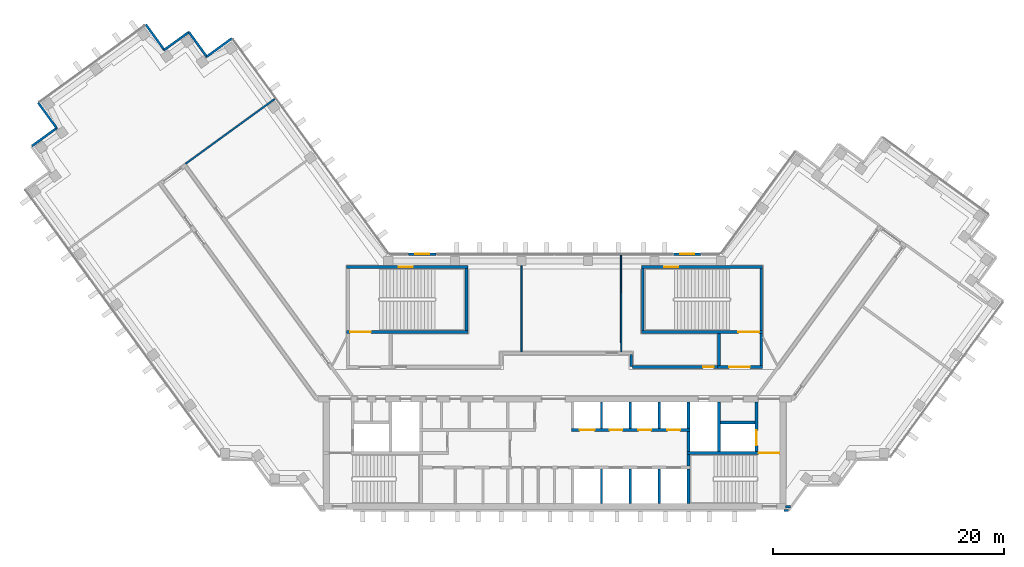
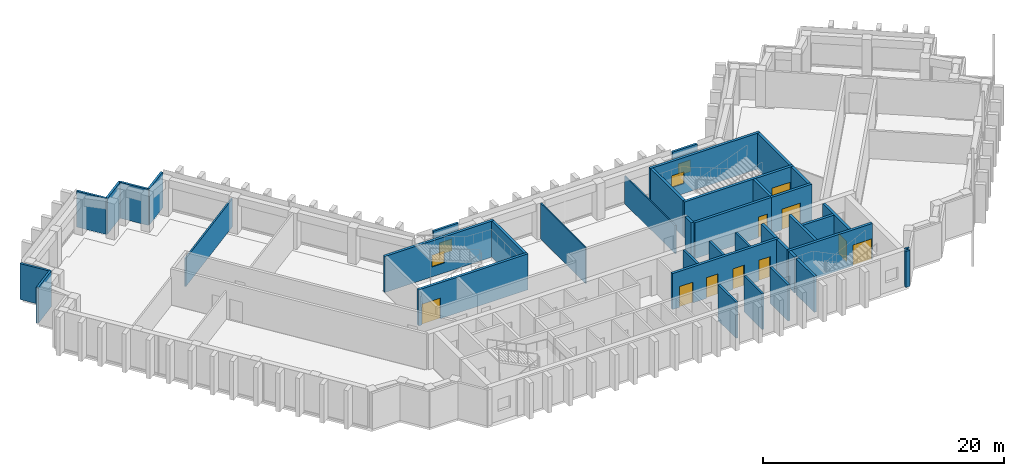
# One storey, part 6 of 9: 40 walls, 10 doors, 4 windows, 14 openings.
"""IFC4 building model written with IfcOpenShell, lengths in metres."""

from ifc_helpers import new_model, si_unit, direction, frame, frame_2d, origin, place, context, subcontext, project, spatial, rectangle, extrude, material, layer, layer_set, type_object, element, fill, save


model = new_model("IFC4")

# Units and contexts
model_context = context("Model", 3, precision=1e-05, world=origin(), true_north=direction((0.0, 1.0)))
body_context = subcontext(model_context, "Body", "Model", "MODEL_VIEW")
ifc_project = project(units=[si_unit("LENGTHUNIT", "METRE"), si_unit("AREAUNIT", "SQUARE_METRE"), si_unit("VOLUMEUNIT", "CUBIC_METRE"), si_unit("PLANEANGLEUNIT", "RADIAN"), si_unit("MASSUNIT", "GRAM", prefix="KILO")], contexts=[model_context])

# Site, building, storey
site_placement = place(None, origin())
site = spatial("IfcSite", under=ifc_project, at=site_placement, CompositionType="ELEMENT")
building_placement = place(site_placement, origin())
building = spatial("IfcBuilding", under=site, at=building_placement, Name="Quipu Civic Tower", CompositionType="ELEMENT")
storey_placement = place(building_placement, frame((0.0, 0.0, 214.0)))
storey = spatial("IfcBuildingStorey", under=building, at=storey_placement, Name="L50", CompositionType="ELEMENT", Elevation=214.0)

# Walls
ifc_material_1 = material(Name="Double gypsum plasterboard with mineral wool")
ifc_layer_1 = layer(ifc_material_1, 0.14990234375)
ifc_layer_set_1 = layer_set([ifc_layer_1], Name="Double gypsum plasterboard with mineral wool")
wall_type_1 = type_object("IfcWallType", Name="Acoustic partition 150 plasterboard", PredefinedType="PARTITIONING", material=ifc_layer_set_1)
wall_1_placement = place(storey_placement, frame((-24.226318359375, 24.531494140625, 0.0), z_axis=(0.0, 0.0, 1.0), x_axis=(-0.80898585166, -0.587828114175, 0.0)))
element("IfcWall", 1, at=wall_1_placement, inside=storey, type_object=wall_type_1, Name="Partition P04", PredefinedType="PARTITIONING", context=body_context, shape_type="SweptSolid", body=[
    extrude(rectangle(XDim=9.550048828125, YDim=0.14990234375, at=frame_2d((4.77490234375, 0.0))), origin(), (0.0, 0.0, 1.0), 2.85009765625),
])
ifc_material_2 = material(Name="Concrete C70/85", Category="concrete")
ifc_layer_2 = layer(ifc_material_2, 0.25)
ifc_layer_set_2 = layer_set([ifc_layer_2], Name="Concrete C70/85")
wall_type_2 = type_object("IfcWallType", Name="Core wall 250", PredefinedType="SHEAR", material=ifc_layer_set_2)
wall_2_placement = place(storey_placement, frame((11.574951171875, -10.5, 0.0), z_axis=(0.0, 0.0, 1.0), x_axis=(0.0, 1.0, 0.0)))
element("IfcWall", 2, at=wall_2_placement, inside=storey, type_object=wall_type_2, Name="Core wall", PredefinedType="SHEAR", context=body_context, shape_type="SweptSolid", body=[
    extrude(rectangle(XDim=3.0, YDim=0.25, at=frame_2d((1.5, 0.0))), origin(), (0.0, 0.0, 1.0), 3.64990234375),
])
wall_3_placement = place(storey_placement, frame((11.574951171875, -7.25, 0.0), z_axis=(0.0, 0.0, 1.0), x_axis=(0.0, 1.0, 0.0)))
element("IfcWall", 3, at=wall_3_placement, inside=storey, type_object=wall_type_2, Name="Core wall", PredefinedType="SHEAR", context=body_context, shape_type="SweptSolid", body=[
    extrude(rectangle(XDim=1.0, YDim=0.25, at=frame_2d((0.5, 0.0))), origin(), (0.0, 0.0, 1.0), 3.64990234375),
])

# Wall, opening, door
wall_4_placement = place(storey_placement, frame((19.5, -6.125, 0.0), z_axis=(0.0, 0.0, 1.0), x_axis=(-1.0, 0.0, 0.0)))
wall_4 = element("IfcWall", 4, at=wall_4_placement, inside=storey, type_object=wall_type_2, Name="Core wall", PredefinedType="SHEAR", context=body_context, shape_type="SweptSolid", body=[
    extrude(rectangle(XDim=8.050048828125, YDim=0.25, at=frame_2d((4.02490234375, 0.0))), origin(), (0.0, 0.0, 1.0), 3.64990234375),
])
opening_1_placement = place(wall_4_placement, frame((0.050048828125, 0.0, 0.0)))
opening_1 = element("IfcOpeningElement", 5, at=opening_1_placement, cuts=wall_4, Name="Opening CD-09", PredefinedType="OPENING", context=body_context, shape_type="SweptSolid", body=[
    extrude(rectangle(XDim=1.800048828125, YDim=2.10009765625, at=frame_2d((0.89990234375, 1.050048828125))), frame((0.0, 0.135009765625, 0.0), z_axis=(0.0, -1.0, 0.0), x_axis=(1.0, 0.0, 0.0)), (0.0, 0.0, 1.0), 0.27001953125),
])
ifc_material_3 = material(Name="Fire rated steel door", Category="steel")
door_type_1 = type_object("IfcDoorType", Name="Fire door FD90 double 1800 x 2100", OperationType="NOTDEFINED", PredefinedType="DOOR", material=ifc_material_3)
door_1_placement = place(opening_1_placement, origin())
door_1 = element("IfcDoor", 6, at=door_1_placement, inside=storey, type_object=door_type_1, Name="Door", OperationType="DOUBLE_DOOR_SINGLE_SWING", OverallHeight=2.10009765625, OverallWidth=1.800048828125, PredefinedType="DOOR", context=body_context, shape_type="SweptSolid", body=[
    extrude(rectangle(XDim=1.800048828125, YDim=2.10009765625, at=frame_2d((0.89990234375, 1.050048828125))), frame((0.0, 0.02490234375, 0.0), z_axis=(0.0, -1.0, 0.0), x_axis=(1.0, 0.0, 0.0)), (0.0, 0.0, 1.0), 0.050048828125),
])
fill(opening_1, door_1)

# Walls
wall_5_placement = place(storey_placement, frame((11.574951171875, -6.0, 0.0), z_axis=(0.0, 0.0, 1.0), x_axis=(0.0, 1.0, 0.0)))
element("IfcWall", 7, at=wall_5_placement, inside=storey, type_object=wall_type_2, Name="Core wall", PredefinedType="SHEAR", context=body_context, shape_type="SweptSolid", body=[
    extrude(rectangle(XDim=1.75, YDim=0.25, at=frame_2d((0.875, 0.0))), origin(), (0.0, 0.0, 1.0), 3.64990234375),
])
wall_6_placement = place(storey_placement, frame((14.22509765625, -6.0, 0.0), z_axis=(0.0, 0.0, 1.0), x_axis=(0.0, 1.0, 0.0)))
element("IfcWall", 8, at=wall_6_placement, inside=storey, type_object=wall_type_2, Name="Core wall", PredefinedType="SHEAR", context=body_context, shape_type="SweptSolid", body=[
    extrude(rectangle(XDim=4.300048828125, YDim=0.25, at=frame_2d((2.14990234375, 0.0))), origin(), (0.0, 0.0, 1.0), 3.64990234375),
])

# Wall, opening, door
wall_7_placement = place(storey_placement, frame((17.47509765625, -6.0, 0.0), z_axis=(0.0, 0.0, 1.0), x_axis=(0.0, 1.0, 0.0)))
wall_7 = element("IfcWall", 9, at=wall_7_placement, inside=storey, type_object=wall_type_2, Name="Core wall", PredefinedType="SHEAR", context=body_context, shape_type="SweptSolid", body=[
    extrude(rectangle(XDim=4.300048828125, YDim=0.25, at=frame_2d((2.14990234375, 0.0))), origin(), (0.0, 0.0, 1.0), 3.64990234375),
])
opening_2_placement = place(wall_7_placement, frame((0.550048828125, 0.0, 0.0)))
opening_2 = element("IfcOpeningElement", 10, at=opening_2_placement, cuts=wall_7, Name="Opening LD-FF2", PredefinedType="OPENING", context=body_context, shape_type="SweptSolid", body=[
    extrude(rectangle(XDim=1.300048828125, YDim=2.10009765625, at=frame_2d((0.64990234375, 1.050048828125))), frame((0.0, 0.135009765625, 0.0), z_axis=(0.0, -1.0, 0.0), x_axis=(1.0, 0.0, 0.0)), (0.0, 0.0, 1.0), 0.27001953125),
])
ifc_material_4 = material(Name="Stainless steel", Category="steel")
door_type_2 = type_object("IfcDoorType", Name="Lift landing door 1300 x 2100", OperationType="DOUBLE_DOOR_SLIDING", PredefinedType="DOOR", material=ifc_material_4)
door_2_placement = place(opening_2_placement, origin())
door_2 = element("IfcDoor", 11, at=door_2_placement, inside=storey, type_object=door_type_2, Name="Landing door FF2", OperationType="DOUBLE_DOOR_SLIDING", OverallHeight=2.10009765625, OverallWidth=1.300048828125, PredefinedType="DOOR", context=body_context, shape_type="SweptSolid", body=[
    extrude(rectangle(XDim=1.300048828125, YDim=2.10009765625, at=frame_2d((0.64990234375, 1.050048828125))), frame((0.0, 0.02490234375, 0.0), z_axis=(0.0, -1.0, 0.0), x_axis=(1.0, 0.0, 0.0)), (0.0, 0.0, 1.0), 0.050048828125),
])
fill(opening_2, door_2)

# Wall, openings, doors
wall_8_placement = place(storey_placement, frame((1.449951171875, -4.125, 0.0), z_axis=(0.0, 0.0, 1.0), x_axis=(1.0, 0.0, 0.0)))
wall_8 = element("IfcWall", 12, at=wall_8_placement, inside=storey, type_object=wall_type_2, Name="Core wall", PredefinedType="SHEAR", context=body_context, shape_type="SweptSolid", body=[
    extrude(rectangle(XDim=10.25, YDim=0.25, at=frame_2d((5.125, 0.0))), origin(), (0.0, 0.0, 1.0), 3.64990234375),
])
opening_3_placement = place(wall_8_placement, frame((0.699951171875, 0.0, 0.0)))
opening_3 = element("IfcOpeningElement", 13, at=opening_3_placement, cuts=wall_8, Name="Opening LD-FF3", PredefinedType="OPENING", context=body_context, shape_type="SweptSolid", body=[
    extrude(rectangle(XDim=1.300048828125, YDim=2.10009765625, at=frame_2d((0.64990234375, 1.050048828125))), frame((0.0, 0.135009765625, 0.0), z_axis=(0.0, -1.0, 0.0), x_axis=(1.0, 0.0, 0.0)), (0.0, 0.0, 1.0), 0.27001953125),
])
opening_4_placement = place(wall_8_placement, frame((3.300048828125, 0.0, 0.0)))
opening_4 = element("IfcOpeningElement", 14, at=opening_4_placement, cuts=wall_8, Name="Opening LD-ML5", PredefinedType="OPENING", context=body_context, shape_type="SweptSolid", body=[
    extrude(rectangle(XDim=1.10009765625, YDim=2.10009765625, at=frame_2d((0.550048828125, 1.050048828125))), frame((0.0, 0.135009765625, 0.0), z_axis=(0.0, -1.0, 0.0), x_axis=(1.0, 0.0, 0.0)), (0.0, 0.0, 1.0), 0.27001953125),
])
opening_5_placement = place(wall_8_placement, frame((5.800048828125, 0.0, 0.0)))
opening_5 = element("IfcOpeningElement", 15, at=opening_5_placement, cuts=wall_8, Name="Opening LD-ML6", PredefinedType="OPENING", context=body_context, shape_type="SweptSolid", body=[
    extrude(rectangle(XDim=1.10009765625, YDim=2.10009765625, at=frame_2d((0.550048828125, 1.050048828125))), frame((0.0, 0.135009765625, 0.0), z_axis=(0.0, -1.0, 0.0), x_axis=(1.0, 0.0, 0.0)), (0.0, 0.0, 1.0), 0.27001953125),
])
opening_6_placement = place(wall_8_placement, frame((8.300048828125, 0.0, 0.0)))
opening_6 = element("IfcOpeningElement", 16, at=opening_6_placement, cuts=wall_8, Name="Opening LD-ML7", PredefinedType="OPENING", context=body_context, shape_type="SweptSolid", body=[
    extrude(rectangle(XDim=1.10009765625, YDim=2.10009765625, at=frame_2d((0.550048828125, 1.050048828125))), frame((0.0, 0.135009765625, 0.0), z_axis=(0.0, -1.0, 0.0), x_axis=(1.0, 0.0, 0.0)), (0.0, 0.0, 1.0), 0.27001953125),
])
ifc_material_5 = material(Name="Stainless steel", Category="steel")
door_type_3 = type_object("IfcDoorType", Name="Lift landing door 1100 x 2100", OperationType="DOUBLE_DOOR_SLIDING", PredefinedType="DOOR", material=ifc_material_5)
door_3_placement = place(opening_4_placement, origin())
door_3 = element("IfcDoor", 17, at=door_3_placement, inside=storey, type_object=door_type_3, Name="Landing door ML5", OperationType="DOUBLE_DOOR_SLIDING", OverallHeight=2.10009765625, OverallWidth=1.10009765625, PredefinedType="DOOR", context=body_context, shape_type="SweptSolid", body=[
    extrude(rectangle(XDim=1.10009765625, YDim=2.10009765625, at=frame_2d((0.550048828125, 1.050048828125))), frame((0.0, 0.02490234375, 0.0), z_axis=(0.0, -1.0, 0.0), x_axis=(1.0, 0.0, 0.0)), (0.0, 0.0, 1.0), 0.050048828125),
])
fill(opening_4, door_3)
door_4_placement = place(opening_5_placement, origin())
door_4 = element("IfcDoor", 18, at=door_4_placement, inside=storey, type_object=door_type_3, Name="Landing door ML6", OperationType="DOUBLE_DOOR_SLIDING", OverallHeight=2.10009765625, OverallWidth=1.10009765625, PredefinedType="DOOR", context=body_context, shape_type="SweptSolid", body=[
    extrude(rectangle(XDim=1.10009765625, YDim=2.10009765625, at=frame_2d((0.550048828125, 1.050048828125))), frame((0.0, 0.02490234375, 0.0), z_axis=(0.0, -1.0, 0.0), x_axis=(1.0, 0.0, 0.0)), (0.0, 0.0, 1.0), 0.050048828125),
])
fill(opening_5, door_4)
door_5_placement = place(opening_6_placement, origin())
door_5 = element("IfcDoor", 19, at=door_5_placement, inside=storey, type_object=door_type_3, Name="Landing door ML7", OperationType="DOUBLE_DOOR_SLIDING", OverallHeight=2.10009765625, OverallWidth=1.10009765625, PredefinedType="DOOR", context=body_context, shape_type="SweptSolid", body=[
    extrude(rectangle(XDim=1.10009765625, YDim=2.10009765625, at=frame_2d((0.550048828125, 1.050048828125))), frame((0.0, 0.02490234375, 0.0), z_axis=(0.0, -1.0, 0.0), x_axis=(1.0, 0.0, 0.0)), (0.0, 0.0, 1.0), 0.050048828125),
])
fill(opening_6, door_5)
door_6_placement = place(opening_3_placement, origin())
door_6 = element("IfcDoor", 20, at=door_6_placement, inside=storey, type_object=door_type_2, Name="Landing door FF3", OperationType="DOUBLE_DOOR_SLIDING", OverallHeight=2.10009765625, OverallWidth=1.300048828125, PredefinedType="DOOR", context=body_context, shape_type="SweptSolid", body=[
    extrude(rectangle(XDim=1.300048828125, YDim=2.10009765625, at=frame_2d((0.64990234375, 1.050048828125))), frame((0.0, 0.02490234375, 0.0), z_axis=(0.0, -1.0, 0.0), x_axis=(1.0, 0.0, 0.0)), (0.0, 0.0, 1.0), 0.050048828125),
])
fill(opening_3, door_6)

# Walls
wall_9_placement = place(storey_placement, frame((11.574951171875, -4.0, 0.0), z_axis=(0.0, 0.0, 1.0), x_axis=(0.0, 1.0, 0.0)))
element("IfcWall", 21, at=wall_9_placement, inside=storey, type_object=wall_type_2, Name="Core wall", PredefinedType="SHEAR", context=body_context, shape_type="SweptSolid", body=[
    extrude(rectangle(XDim=2.300048828125, YDim=0.25, at=frame_2d((1.14990234375, 0.0))), origin(), (0.0, 0.0, 1.0), 3.64990234375),
])
wall_10_placement = place(storey_placement, frame((14.35009765625, -3.47509765625, 0.0), z_axis=(0.0, 0.0, 1.0), x_axis=(1.0, 0.0, 0.0)))
element("IfcWall", 22, at=wall_10_placement, inside=storey, type_object=wall_type_2, Name="Core wall", PredefinedType="SHEAR", context=body_context, shape_type="SweptSolid", body=[
    extrude(rectangle(XDim=3.0, YDim=0.25, at=frame_2d((1.5, 0.0))), origin(), (0.0, 0.0, 1.0), 3.64990234375),
])

# Wall, opening, door
wall_11_placement = place(storey_placement, frame((-18.0, 4.375, 0.0), z_axis=(0.0, 0.0, 1.0), x_axis=(1.0, 0.0, 0.0)))
wall_11 = element("IfcWall", 23, at=wall_11_placement, inside=storey, type_object=wall_type_2, Name="Core wall", PredefinedType="SHEAR", context=body_context, shape_type="SweptSolid", body=[
    extrude(rectangle(XDim=10.5, YDim=0.25, at=frame_2d((5.25, 0.0))), origin(), (0.0, 0.0, 1.0), 3.64990234375),
])
opening_7_placement = place(wall_11_placement, frame((0.300048828125, 0.0, 0.0)))
opening_7 = element("IfcOpeningElement", 24, at=opening_7_placement, cuts=wall_11, Name="Opening CD-25", PredefinedType="OPENING", context=body_context, shape_type="SweptSolid", body=[
    extrude(rectangle(XDim=1.800048828125, YDim=2.10009765625, at=frame_2d((0.89990234375, 1.050048828125))), frame((0.0, 0.135009765625, 0.0), z_axis=(0.0, -1.0, 0.0), x_axis=(1.0, 0.0, 0.0)), (0.0, 0.0, 1.0), 0.27001953125),
])
door_7_placement = place(opening_7_placement, origin())
door_7 = element("IfcDoor", 25, at=door_7_placement, inside=storey, type_object=door_type_1, Name="Door", OperationType="DOUBLE_DOOR_SINGLE_SWING", OverallHeight=2.10009765625, OverallWidth=1.800048828125, PredefinedType="DOOR", context=body_context, shape_type="SweptSolid", body=[
    extrude(rectangle(XDim=1.800048828125, YDim=2.10009765625, at=frame_2d((0.89990234375, 1.050048828125))), frame((0.0, 0.02490234375, 0.0), z_axis=(0.0, -1.0, 0.0), x_axis=(1.0, 0.0, 0.0)), (0.0, 0.0, 1.0), 0.050048828125),
])
fill(opening_7, door_7)

# Wall
wall_12_placement = place(storey_placement, frame((-7.625, 4.5, 0.0), z_axis=(0.0, 0.0, 1.0), x_axis=(0.0, 1.0, 0.0)))
element("IfcWall", 26, at=wall_12_placement, inside=storey, type_object=wall_type_2, Name="Core wall", PredefinedType="SHEAR", context=body_context, shape_type="SweptSolid", body=[
    extrude(rectangle(XDim=5.35009765625, YDim=0.25, at=frame_2d((2.675048828125, 0.0))), origin(), (0.0, 0.0, 1.0), 3.64990234375),
])

# Wall, opening, window
wall_13_placement = place(storey_placement, frame((-18.0, 9.97509765625, 0.0), z_axis=(0.0, 0.0, 1.0), x_axis=(1.0, 0.0, 0.0)))
wall_13 = element("IfcWall", 27, at=wall_13_placement, inside=storey, type_object=wall_type_2, Name="Core wall", PredefinedType="SHEAR", context=body_context, shape_type="SweptSolid", body=[
    extrude(rectangle(XDim=10.5, YDim=0.25, at=frame_2d((5.25, 0.0))), origin(), (0.0, 0.0, 1.0), 3.64990234375),
])
opening_8_placement = place(wall_13_placement, frame((4.5, 0.0, 1.0)))
opening_8 = element("IfcOpeningElement", 28, at=opening_8_placement, cuts=wall_13, Name="Opening SV-3", PredefinedType="OPENING", context=body_context, shape_type="SweptSolid", body=[
    extrude(rectangle(XDim=1.199951171875, YDim=1.199951171875, at=frame_2d((0.60009765625, 0.60009765625))), frame((0.0, 0.135009765625, 0.0), z_axis=(0.0, -1.0, 0.0), x_axis=(1.0, 0.0, 0.0)), (0.0, 0.0, 1.0), 0.27001953125),
])
ifc_material_6 = material(Name="Aluminium louvre", Category="aluminium")
window_type_1 = type_object("IfcWindowType", Name="Stair ventilation louvre 1200 x 1200", PartitioningType="SINGLE_PANEL", PredefinedType="WINDOW", material=ifc_material_6)
window_1_placement = place(opening_8_placement, origin())
window_1 = element("IfcWindow", 29, at=window_1_placement, inside=storey, type_object=window_type_1, Name="Stair ventilation opening", OverallHeight=1.199951171875, OverallWidth=1.199951171875, PartitioningType="SINGLE_PANEL", PredefinedType="WINDOW", context=body_context, shape_type="SweptSolid", body=[
    extrude(rectangle(XDim=1.199951171875, YDim=1.199951171875, at=frame_2d((0.60009765625, 0.60009765625))), frame((0.0, 0.030029296875, 0.0), z_axis=(0.0, -1.0, 0.0), x_axis=(1.0, 0.0, 0.0)), (0.0, 0.0, 1.0), 0.06005859375),
])
fill(opening_8, window_1)

# Wall, opening, door
wall_14_placement = place(storey_placement, frame((14.10009765625, 1.324951171875, 0.0), z_axis=(0.0, 0.0, 1.0), x_axis=(1.0, 0.0, 0.0)))
wall_14 = element("IfcWall", 30, at=wall_14_placement, inside=storey, type_object=wall_type_2, Name="Core wall", PredefinedType="SHEAR", context=body_context, shape_type="SweptSolid", body=[
    extrude(rectangle(XDim=3.89990234375, YDim=0.25, at=frame_2d((1.949951171875, 0.0))), origin(), (0.0, 0.0, 1.0), 3.64990234375),
])
opening_9_placement = place(wall_14_placement, frame((1.0, 0.0, 0.0)))
opening_9 = element("IfcOpeningElement", 31, at=opening_9_placement, cuts=wall_14, Name="Opening CD-26", PredefinedType="OPENING", context=body_context, shape_type="SweptSolid", body=[
    extrude(rectangle(XDim=1.800048828125, YDim=2.10009765625, at=frame_2d((0.89990234375, 1.050048828125))), frame((0.0, 0.135009765625, 0.0), z_axis=(0.0, -1.0, 0.0), x_axis=(1.0, 0.0, 0.0)), (0.0, 0.0, 1.0), 0.27001953125),
])
door_8_placement = place(opening_9_placement, origin())
door_8 = element("IfcDoor", 32, at=door_8_placement, inside=storey, type_object=door_type_1, Name="Lobby door", OperationType="DOUBLE_DOOR_SINGLE_SWING", OverallHeight=2.10009765625, OverallWidth=1.800048828125, PredefinedType="DOOR", context=body_context, shape_type="SweptSolid", body=[
    extrude(rectangle(XDim=1.800048828125, YDim=2.10009765625, at=frame_2d((0.89990234375, 1.050048828125))), frame((0.0, 0.02490234375, 0.0), z_axis=(0.0, -1.0, 0.0), x_axis=(1.0, 0.0, 0.0)), (0.0, 0.0, 1.0), 0.050048828125),
])
fill(opening_9, door_8)

# Walls
for number, where, z_axis, x_axis, name in (
    (33, (14.22509765625, 1.449951171875, 0.0), (0.0, 0.0, 1.0), (0.0, 1.0, 0.0), "Core wall"),
    (34, (17.875, 1.449951171875, 0.0), (0.0, 0.0, 1.0), (0.0, 1.0, 0.0), "Core wall"),
):
    element("IfcWall", number, at=place(storey_placement, frame(where, z_axis=z_axis, x_axis=x_axis)), inside=storey, type_object=wall_type_2, Name=name, PredefinedType="SHEAR", context=body_context, shape_type="SweptSolid", body=[
        extrude(rectangle(XDim=2.800048828125, YDim=0.25, at=frame_2d((1.39990234375, 0.0))), origin(), (0.0, 0.0, 1.0), 3.64990234375),
    ])

# Wall, opening, door
wall_15_placement = place(storey_placement, frame((7.5, 4.375, 0.0), z_axis=(0.0, 0.0, 1.0), x_axis=(1.0, 0.0, 0.0)))
wall_15 = element("IfcWall", 35, at=wall_15_placement, inside=storey, type_object=wall_type_2, Name="Core wall", PredefinedType="SHEAR", context=body_context, shape_type="SweptSolid", body=[
    extrude(rectangle(XDim=10.5, YDim=0.25, at=frame_2d((5.25, 0.0))), origin(), (0.0, 0.0, 1.0), 3.64990234375),
])
opening_10_placement = place(wall_15_placement, frame((8.39990234375, 0.0, 0.0)))
opening_10 = element("IfcOpeningElement", 36, at=opening_10_placement, cuts=wall_15, Name="Opening CD-27", PredefinedType="OPENING", context=body_context, shape_type="SweptSolid", body=[
    extrude(rectangle(XDim=1.800048828125, YDim=2.10009765625, at=frame_2d((0.89990234375, 1.050048828125))), frame((0.0, 0.135009765625, 0.0), z_axis=(0.0, -1.0, 0.0), x_axis=(1.0, 0.0, 0.0)), (0.0, 0.0, 1.0), 0.27001953125),
])
door_9_placement = place(opening_10_placement, origin())
door_9 = element("IfcDoor", 37, at=door_9_placement, inside=storey, type_object=door_type_1, Name="Door", OperationType="DOUBLE_DOOR_SINGLE_SWING", OverallHeight=2.10009765625, OverallWidth=1.800048828125, PredefinedType="DOOR", context=body_context, shape_type="SweptSolid", body=[
    extrude(rectangle(XDim=1.800048828125, YDim=2.10009765625, at=frame_2d((0.89990234375, 1.050048828125))), frame((0.0, 0.02490234375, 0.0), z_axis=(0.0, -1.0, 0.0), x_axis=(1.0, 0.0, 0.0)), (0.0, 0.0, 1.0), 0.050048828125),
])
fill(opening_10, door_9)

# Walls
for number, where, z_axis, x_axis, name in (
    (38, (7.625, 4.5, 0.0), (0.0, 0.0, 1.0), (0.0, 1.0, 0.0), "Core wall"),
    (39, (17.875, 4.5, 0.0), (0.0, 0.0, 1.0), (0.0, 1.0, 0.0), "Core wall"),
):
    element("IfcWall", number, at=place(storey_placement, frame(where, z_axis=z_axis, x_axis=x_axis)), inside=storey, type_object=wall_type_2, Name=name, PredefinedType="SHEAR", context=body_context, shape_type="SweptSolid", body=[
        extrude(rectangle(XDim=5.35009765625, YDim=0.25, at=frame_2d((2.675048828125, 0.0))), origin(), (0.0, 0.0, 1.0), 3.64990234375),
    ])

# Wall, opening, window
wall_16_placement = place(storey_placement, frame((7.5, 9.97509765625, 0.0), z_axis=(0.0, 0.0, 1.0), x_axis=(1.0, 0.0, 0.0)))
wall_16 = element("IfcWall", 40, at=wall_16_placement, inside=storey, type_object=wall_type_2, Name="Core wall", PredefinedType="SHEAR", context=body_context, shape_type="SweptSolid", body=[
    extrude(rectangle(XDim=10.5, YDim=0.25, at=frame_2d((5.25, 0.0))), origin(), (0.0, 0.0, 1.0), 3.64990234375),
])
opening_11_placement = place(wall_16_placement, frame((2.0, 0.0, 1.0)))
opening_11 = element("IfcOpeningElement", 41, at=opening_11_placement, cuts=wall_16, Name="Opening SV-4", PredefinedType="OPENING", context=body_context, shape_type="SweptSolid", body=[
    extrude(rectangle(XDim=1.199951171875, YDim=1.199951171875, at=frame_2d((0.60009765625, 0.60009765625))), frame((0.0, 0.135009765625, 0.0), z_axis=(0.0, -1.0, 0.0), x_axis=(1.0, 0.0, 0.0)), (0.0, 0.0, 1.0), 0.27001953125),
])
window_2_placement = place(opening_11_placement, origin())
window_2 = element("IfcWindow", 42, at=window_2_placement, inside=storey, type_object=window_type_1, Name="Stair ventilation opening", OverallHeight=1.199951171875, OverallWidth=1.199951171875, PartitioningType="SINGLE_PANEL", PredefinedType="WINDOW", context=body_context, shape_type="SweptSolid", body=[
    extrude(rectangle(XDim=1.199951171875, YDim=1.199951171875, at=frame_2d((0.60009765625, 0.60009765625))), frame((0.0, 0.030029296875, 0.0), z_axis=(0.0, -1.0, 0.0), x_axis=(1.0, 0.0, 0.0)), (0.0, 0.0, 1.0), 0.06005859375),
])
fill(opening_11, window_2)

# Wall
ifc_material_7 = material(Name="Concrete C50/60", Category="concrete")
ifc_layer_3 = layer(ifc_material_7, 0.25)
ifc_layer_set_3 = layer_set([ifc_layer_3], Name="Concrete C50/60")
wall_type_3 = type_object("IfcWallType", Name="Corridor wall 250 concrete", PredefinedType="SOLIDWALL", material=ifc_layer_set_3)
wall_17_placement = place(storey_placement, frame((6.625, 2.39990234375, 0.0), z_axis=(0.0, 0.0, 1.0), x_axis=(0.0, -1.0, 0.0)))
element("IfcWall", 43, at=wall_17_placement, inside=storey, type_object=wall_type_3, Name="Corridor wall C10", PredefinedType="SOLIDWALL", context=body_context, shape_type="SweptSolid", body=[
    extrude(rectangle(XDim=1.041259765625, YDim=0.25, at=frame_2d((0.5205078125, 0.0))), origin(), (0.0, 0.0, 1.0), 3.64990234375),
])

# Wall, opening, door
wall_18_placement = place(storey_placement, frame((6.753662109375, 1.324951171875, 0.0), z_axis=(0.0, 0.0, 1.0), x_axis=(1.0, 0.0, 0.0)))
wall_18 = element("IfcWall", 44, at=wall_18_placement, inside=storey, type_object=wall_type_3, Name="Corridor wall C11", PredefinedType="SOLIDWALL", context=body_context, shape_type="SweptSolid", body=[
    extrude(rectangle(XDim=7.33642578125, YDim=0.25, at=frame_2d((3.668212890625, 0.0))), origin(), (0.0, 0.0, 1.0), 3.64990234375),
])
opening_12_placement = place(wall_18_placement, frame((6.09619140625, 0.0, 0.0)))
opening_12 = element("IfcOpeningElement", 45, at=opening_12_placement, cuts=wall_18, Name="Opening D007", PredefinedType="OPENING", context=body_context, shape_type="SweptSolid", body=[
    extrude(rectangle(XDim=0.89990234375, YDim=2.10009765625, at=frame_2d((0.449951171875, 1.050048828125))), frame((0.0, 0.135009765625, 0.0), z_axis=(0.0, -1.0, 0.0), x_axis=(1.0, 0.0, 0.0)), (0.0, 0.0, 1.0), 0.27001953125),
])
ifc_material_8 = material(Name="Fire rated timber door set with metal frame", Category="wood")
door_type_4 = type_object("IfcDoorType", Name="Single door 900 x 2100 FD60", OperationType="NOTDEFINED", PredefinedType="DOOR", material=ifc_material_8)
door_10_placement = place(opening_12_placement, origin())
door_10 = element("IfcDoor", 46, at=door_10_placement, inside=storey, type_object=door_type_4, Name="Door D007", OperationType="SINGLE_SWING_RIGHT", OverallHeight=2.10009765625, OverallWidth=0.89990234375, PredefinedType="DOOR", context=body_context, shape_type="SweptSolid", body=[
    extrude(rectangle(XDim=0.89990234375, YDim=2.10009765625, at=frame_2d((0.449951171875, 1.050048828125))), frame((0.0, 0.02490234375, 0.0), z_axis=(0.0, -1.0, 0.0), x_axis=(1.0, 0.0, 0.0)), (0.0, 0.0, 1.0), 0.050048828125),
])
fill(opening_12, door_10)

# Walls
ifc_material_9 = material(Name="Gypsum plasterboard on light gauge framing")
ifc_layer_4 = layer(ifc_material_9, 0.1201171875)
ifc_layer_set_4 = layer_set([ifc_layer_4], Name="Gypsum plasterboard on light gauge framing")
wall_type_4 = type_object("IfcWallType", Name="Partition 120 plasterboard", PredefinedType="PARTITIONING", material=ifc_layer_set_4)
wall_19_placement = place(storey_placement, frame((-2.85888671875, 10.094970703125, 0.0), z_axis=(0.0, 0.0, 1.0), x_axis=(0.0, -1.0, 0.0)))
element("IfcWall", 47, at=wall_19_placement, inside=storey, type_object=wall_type_4, Name="Partition P01", PredefinedType="PARTITIONING", context=body_context, shape_type="SweptSolid", body=[
    extrude(rectangle(XDim=7.445068359375, YDim=0.1201171875, at=frame_2d((3.72265625, 0.0))), origin(), (0.0, 0.0, 1.0), 3.64990234375),
])
wall_20_placement = place(storey_placement, frame((5.758056640625, 2.64990234375, 0.0), z_axis=(0.0, 0.0, 1.0), x_axis=(-0.002748366908, 0.999996223233, 0.0)))
element("IfcWall", 48, at=wall_20_placement, inside=storey, type_object=wall_type_4, Name="Partition P02", PredefinedType="PARTITIONING", context=body_context, shape_type="SweptSolid", body=[
    extrude(rectangle(XDim=8.35009765625, YDim=0.1201171875, at=frame_2d((4.175048828125, 0.0))), origin(), (0.0, 0.0, 1.0), 2.85009765625),
])
ifc_material_10 = material(Name="Precast concrete C40/50", Category="concrete")
wall_type_5 = type_object("IfcWallType", Name="Precast cladding wall", PredefinedType="SOLIDWALL", material=ifc_material_10)
for number, where, z_axis, x_axis, name in (
    (49, (-27.92138671875, 29.787109375, 0.0), (0.0, 0.0, 1.0), (-0.809033161865, -0.587762999008, 0.0), "Precast cladding wall L50 P02"),
    (50, (-30.08349609375, 28.149169921875, 0.0), (0.0, 0.0, 1.0), (-0.587762999008, 0.809033161865, 0.0), "Precast cladding wall L50 P03"),
    (51, (-31.653564453125, 30.330810546875, 0.0), (0.0, 0.0, 1.0), (-0.809033161865, -0.587762999008, 0.0), "Precast cladding wall L50 P04"),
    (52, (-33.80078125, 28.785888671875, 0.0), (0.0, 0.0, 1.0), (-0.587762999008, 0.809033161865, 0.0), "Precast cladding wall L50 P05"),
    (53, (-44.699462890625, 24.20458984375, 0.0), (0.0, 0.0, 1.0), (0.587762999008, -0.809033161865, 0.0), "Precast cladding wall L50 P07"),
    (54, (-43.060791015625, 22.04296875, 0.0), (0.0, 0.0, 1.0), (-0.809033161865, -0.587762999008, 0.0), "Precast cladding wall L50 P08"),
):
    element("IfcWall", number, at=place(storey_placement, frame(where, z_axis=z_axis, x_axis=x_axis)), inside=storey, type_object=wall_type_5, Name=name, PredefinedType="SOLIDWALL", context=body_context, shape_type="SweptSolid", body=[
        extrude(rectangle(XDim=2.699951171875, YDim=0.199951171875, at=frame_2d((1.35009765625, 0.0))), origin(), (0.0, 0.0, 1.0), 3.64990234375),
    ])
wall_21_placement = place(storey_placement, frame((19.85009765625, -11.087890625, 0.0), z_axis=(0.0, 0.0, 1.0), x_axis=(1.0, 0.0, 0.0)))
element("IfcWall", 55, at=wall_21_placement, inside=storey, type_object=wall_type_5, Name="Precast cladding wall L50 P19", PredefinedType="SOLIDWALL", context=body_context, shape_type="SweptSolid", body=[
    extrude(rectangle(XDim=0.40576171875, YDim=0.199951171875, at=frame_2d((0.202880859375, 0.0))), origin(), (0.0, 0.0, 1.0), 3.64990234375),
])

# Wall, opening, window
wall_22_placement = place(storey_placement, frame((12.655029296875, 11.10009765625, 0.0), z_axis=(0.0, 0.0, 1.0), x_axis=(-1.0, 0.0, 0.0)))
wall_22 = element("IfcWall", 56, at=wall_22_placement, inside=storey, type_object=wall_type_5, Name="Vent surround SF-L48-2", PredefinedType="SOLIDWALL", context=body_context, shape_type="SweptSolid", body=[
    extrude(rectangle(XDim=2.3916015625, YDim=0.199951171875, at=frame_2d((1.19580078125, 0.0))), origin(), (0.0, 0.0, 1.0), 3.64990234375),
])
opening_13_placement = place(wall_22_placement, frame((0.595703125, 0.0, 1.0)))
opening_13 = element("IfcOpeningElement", 57, at=opening_13_placement, cuts=wall_22, Name="Opening SF-L48-2", PredefinedType="OPENING", context=body_context, shape_type="SweptSolid", body=[
    extrude(rectangle(XDim=1.199951171875, YDim=1.199951171875, at=frame_2d((0.60009765625, 0.60009765625))), frame((0.0, 0.10986328125, 0.0), z_axis=(0.0, -1.0, 0.0), x_axis=(1.0, 0.0, 0.0)), (0.0, 0.0, 1.0), 0.219970703125),
])
ifc_material_11 = material(Name="Anodised aluminium louvre", Category="aluminium")
window_type_2 = type_object("IfcWindowType", Name="Stair vent louvre window P3", PartitioningType="SINGLE_PANEL", PredefinedType="WINDOW", material=ifc_material_11)
window_3_placement = place(opening_13_placement, origin())
window_3 = element("IfcWindow", 58, at=window_3_placement, inside=storey, type_object=window_type_2, Name="Stair vent louvre SF-L48-2", OverallHeight=1.199951171875, OverallWidth=1.199951171875, PartitioningType="SINGLE_PANEL", PredefinedType="WINDOW", context=body_context, shape_type="SweptSolid", body=[
    extrude(rectangle(XDim=1.199951171875, YDim=1.199951171875, at=frame_2d((0.60009765625, 0.60009765625))), frame((0.0, 0.030029296875, 0.0), z_axis=(0.0, -1.0, 0.0), x_axis=(1.0, 0.0, 0.0)), (0.0, 0.0, 1.0), 0.06005859375),
])
fill(opening_13, window_3)

wall_23_placement = place(storey_placement, frame((-10.263427734375, 11.10009765625, 0.0), z_axis=(0.0, 0.0, 1.0), x_axis=(-1.0, 0.0, 0.0)))
wall_23 = element("IfcWall", 59, at=wall_23_placement, inside=storey, type_object=wall_type_5, Name="Vent surround SF-L48-1", PredefinedType="SOLIDWALL", context=body_context, shape_type="SweptSolid", body=[
    extrude(rectangle(XDim=2.3916015625, YDim=0.199951171875, at=frame_2d((1.19580078125, 0.0))), origin(), (0.0, 0.0, 1.0), 3.64990234375),
])
opening_14_placement = place(wall_23_placement, frame((0.595703125, 0.0, 1.0)))
opening_14 = element("IfcOpeningElement", 60, at=opening_14_placement, cuts=wall_23, Name="Opening SF-L48-1", PredefinedType="OPENING", context=body_context, shape_type="SweptSolid", body=[
    extrude(rectangle(XDim=1.199951171875, YDim=1.199951171875, at=frame_2d((0.60009765625, 0.60009765625))), frame((0.0, 0.10986328125, 0.0), z_axis=(0.0, -1.0, 0.0), x_axis=(1.0, 0.0, 0.0)), (0.0, 0.0, 1.0), 0.219970703125),
])
window_4_placement = place(opening_14_placement, origin())
window_4 = element("IfcWindow", 61, at=window_4_placement, inside=storey, type_object=window_type_2, Name="Stair vent louvre SF-L48-1", OverallHeight=1.199951171875, OverallWidth=1.199951171875, PartitioningType="SINGLE_PANEL", PredefinedType="WINDOW", context=body_context, shape_type="SweptSolid", body=[
    extrude(rectangle(XDim=1.199951171875, YDim=1.199951171875, at=frame_2d((0.60009765625, 0.60009765625))), frame((0.0, 0.030029296875, 0.0), z_axis=(0.0, -1.0, 0.0), x_axis=(1.0, 0.0, 0.0)), (0.0, 0.0, 1.0), 0.06005859375),
])
fill(opening_14, window_4)

# Walls
wall_24_placement = place(storey_placement, frame((19.97998046875, -10.75, 0.0), z_axis=(0.0, 0.0, 1.0), x_axis=(1.0, 0.0, 0.0)))
element("IfcWall", 62, at=wall_24_placement, inside=storey, type_object=wall_type_5, Name="Precast cladding return L50 E", PredefinedType="SOLIDWALL", context=body_context, shape_type="SweptSolid", body=[
    extrude(rectangle(XDim=0.41650390625, YDim=0.199951171875, at=frame_2d((0.208251953125, 0.0))), origin(), (0.0, 0.0, 1.0), 3.64990234375),
])
ifc_material_12 = material(Name="Concrete C40/50", Category="concrete")
ifc_layer_5 = layer(ifc_material_12, 0.199951171875)
ifc_layer_set_5 = layer_set([ifc_layer_5], Name="Concrete C40/50")
wall_type_6 = type_object("IfcWallType", Name="Shaft wall 200", PredefinedType="SOLIDWALL", material=ifc_layer_set_5)
for number, where, z_axis, x_axis, name in (
    (63, (4.050048828125, -10.5, 0.0), (0.0, 0.0, 1.0), (0.0, 1.0, 0.0), "Shaft wall"),
    (64, (6.550048828125, -10.5, 0.0), (0.0, 0.0, 1.0), (0.0, 1.0, 0.0), "Shaft wall"),
    (65, (9.050048828125, -10.5, 0.0), (0.0, 0.0, 1.0), (0.0, 1.0, 0.0), "Shaft wall"),
):
    element("IfcWall", number, at=place(storey_placement, frame(where, z_axis=z_axis, x_axis=x_axis)), inside=storey, type_object=wall_type_6, Name=name, PredefinedType="SOLIDWALL", context=body_context, shape_type="SweptSolid", body=[
        extrude(rectangle(XDim=3.0, YDim=0.199951171875, at=frame_2d((1.5, 0.0))), origin(), (0.0, 0.0, 1.0), 3.64990234375),
    ])
for number, where, z_axis, x_axis, name in (
    (66, (4.050048828125, -4.0, 0.0), (0.0, 0.0, 1.0), (0.0, 1.0, 0.0), "Shaft wall"),
    (67, (6.550048828125, -4.0, 0.0), (0.0, 0.0, 1.0), (0.0, 1.0, 0.0), "Shaft wall"),
    (68, (9.050048828125, -4.0, 0.0), (0.0, 0.0, 1.0), (0.0, 1.0, 0.0), "Shaft wall"),
):
    element("IfcWall", number, at=place(storey_placement, frame(where, z_axis=z_axis, x_axis=x_axis)), inside=storey, type_object=wall_type_6, Name=name, PredefinedType="SOLIDWALL", context=body_context, shape_type="SweptSolid", body=[
        extrude(rectangle(XDim=2.300048828125, YDim=0.199951171875, at=frame_2d((1.14990234375, 0.0))), origin(), (0.0, 0.0, 1.0), 3.64990234375),
    ])

save(model, "model.ifc")
